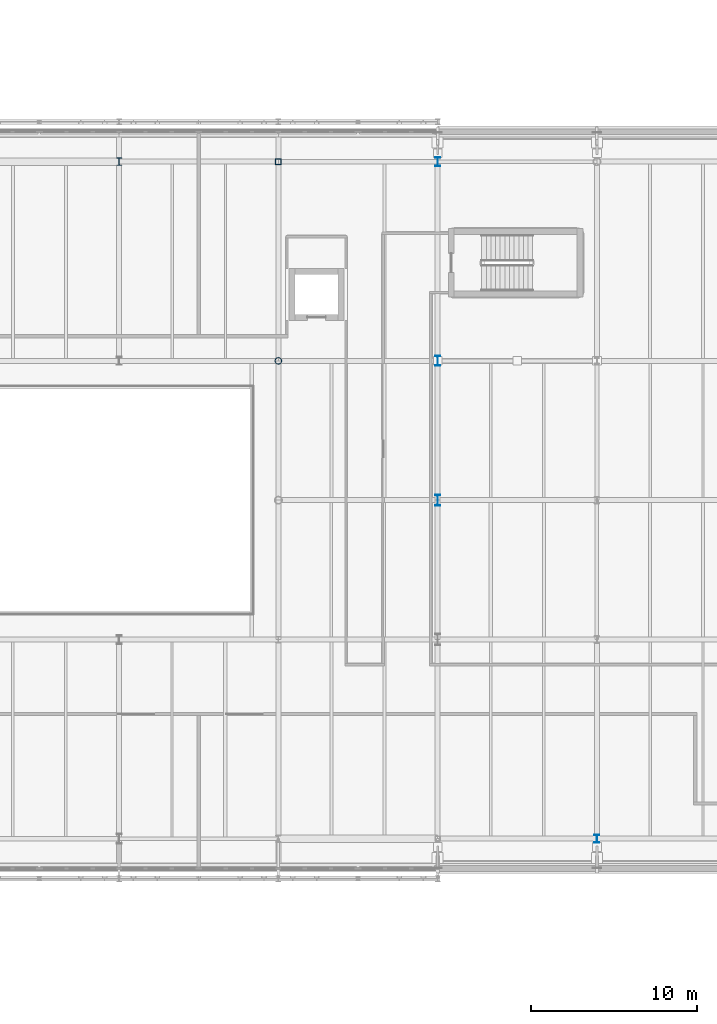
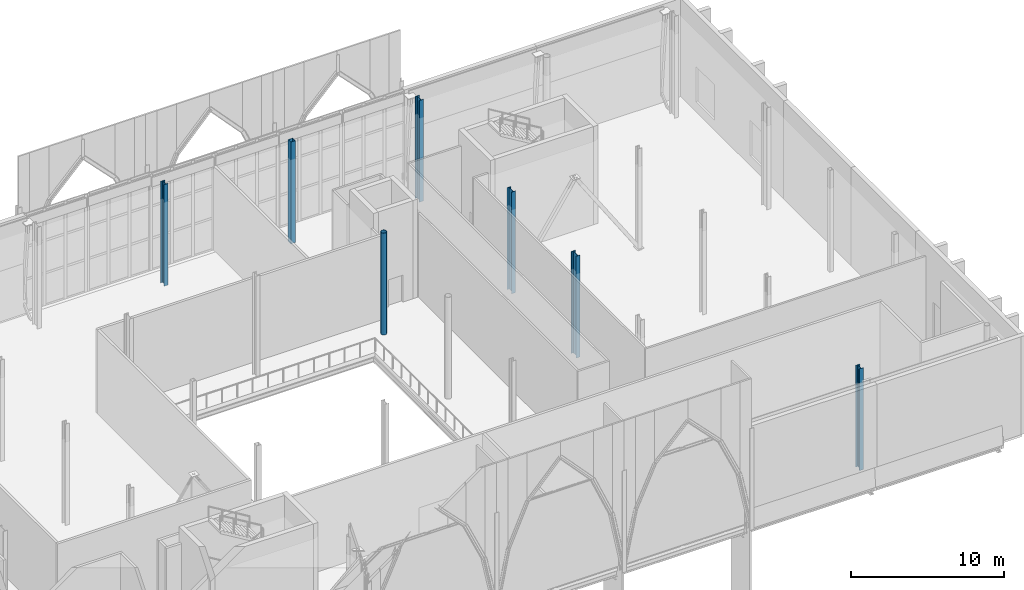
# One storey, part 7 of 79: 7 columns.
"""IFC4 building model written with IfcOpenShell, lengths in metres."""

from ifc_helpers import new_model, si_unit, direction, frame, origin, origin_2d, place, context, subcontext, project, spatial, hollow_rectangle, hollow_circle, i_section, extrude, material, material_profile, profile_set, type_object, element, save


model = new_model("IFC4")

# Units and contexts
model_context = context("Model", 3, precision=1e-05, world=origin(), true_north=direction((0.0, 1.0)))
body_context = subcontext(model_context, "Body", "Model", "MODEL_VIEW")
ifc_project = project(units=[si_unit("LENGTHUNIT", "METRE"), si_unit("AREAUNIT", "SQUARE_METRE"), si_unit("VOLUMEUNIT", "CUBIC_METRE"), si_unit("PLANEANGLEUNIT", "RADIAN"), si_unit("MASSUNIT", "GRAM", prefix="KILO")], contexts=[model_context])

# Site, building, storey
site_placement = place(None, origin())
site = spatial("IfcSite", under=ifc_project, at=site_placement, CompositionType="ELEMENT")
building_placement = place(site_placement, origin())
building = spatial("IfcBuilding", under=site, at=building_placement, Name="Zereglee Splitstone Museum", CompositionType="ELEMENT")
storey_placement = place(building_placement, frame((0.0, 0.0, 9.0)))
storey = spatial("IfcBuildingStorey", under=building, at=storey_placement, Name="L02", CompositionType="ELEMENT", Elevation=9.0)

# Columns
ifc_material_1 = material(Name="Steel S355J2H", Category="steel")
ifc_material_profile_1 = material_profile(ifc_material_1, hollow_circle(Radius=0.203125, WallThickness=0.02001953125, at=origin_2d()), Name="CHS 406.4x20")
ifc_profile_set_1 = profile_set([ifc_material_profile_1], Name="Steel S355J2H")
column_type_1 = type_object("IfcColumnType", Name="C-18", PredefinedType="COLUMN", material=ifc_profile_set_1)
column_1_placement = place(storey_placement, frame((116.39990234375, 38.39990234375, 0.0), z_axis=(0.0, 0.0, 1.0), x_axis=(1.0, 0.0, 0.0)))
element("IfcColumn", 1, at=column_1_placement, inside=storey, type_object=column_type_1, Name="Column 14/E L02", PredefinedType="COLUMN", context=body_context, shape_type="SweptSolid", body=[
    extrude(hollow_circle(Radius=0.203125, WallThickness=0.02001953125, at=origin_2d()), origin(), (0.0, 0.0, 1.0), 8.10009765625),
])
ifc_material_2 = material(Name="Steel S355J2", Category="steel")
ifc_material_profile_2 = material_profile(ifc_material_2, i_section(OverallWidth=0.300048828125, OverallDepth=0.449951171875, WebThickness=0.013916015625, FlangeThickness=0.02587890625, FilletRadius=0.027099609375, at=origin_2d()), Name="HE 450 B")
ifc_profile_set_2 = profile_set([ifc_material_profile_2], Name="Steel S355J2")
column_type_2 = type_object("IfcColumnType", Name="C-14", PredefinedType="COLUMN", material=ifc_profile_set_2)
column_2_placement = place(storey_placement, frame((106.800048828125, 50.39990234375, 0.0), z_axis=(0.0, 0.0, 1.0), x_axis=(1.0, 0.0, 0.0)))
element("IfcColumn", 2, at=column_2_placement, inside=storey, type_object=column_type_2, Name="Column 13/F L02", PredefinedType="COLUMN", context=body_context, shape_type="SweptSolid", body=[
    extrude(i_section(OverallWidth=0.300048828125, OverallDepth=0.449951171875, WebThickness=0.013916015625, FlangeThickness=0.02587890625, FilletRadius=0.027099609375, at=origin_2d()), origin(), (0.0, 0.0, 1.0), 8.10009765625),
])
ifc_material_profile_3 = material_profile(ifc_material_2, i_section(OverallWidth=0.300048828125, OverallDepth=0.5, WebThickness=0.014404296875, FlangeThickness=0.028076171875, FilletRadius=0.027099609375, at=origin_2d()), Name="HE 500 B")
ifc_profile_set_3 = profile_set([ifc_material_profile_3], Name="Steel S355J2")
column_type_3 = type_object("IfcColumnType", Name="C-13", PredefinedType="COLUMN", material=ifc_profile_set_3)
column_3_placement = place(storey_placement, frame((135.60009765625, 9.60009765625, 0.0), z_axis=(0.0, 0.0, 1.0), x_axis=(1.0, 0.0, 0.0)))
element("IfcColumn", 3, at=column_3_placement, inside=storey, type_object=column_type_3, Name="Column 16/B L02", PredefinedType="COLUMN", context=body_context, shape_type="SweptSolid", body=[
    extrude(i_section(OverallWidth=0.300048828125, OverallDepth=0.5, WebThickness=0.014404296875, FlangeThickness=0.028076171875, FilletRadius=0.027099609375, at=origin_2d()), origin(), (0.0, 0.0, 1.0), 8.10009765625),
])
ifc_material_profile_4 = material_profile(ifc_material_2, i_section(OverallWidth=0.300048828125, OverallDepth=0.550048828125, WebThickness=0.014892578125, FlangeThickness=0.029052734375, FilletRadius=0.027099609375, at=origin_2d()), Name="HE 550 B")
ifc_profile_set_4 = profile_set([ifc_material_profile_4], Name="Steel S355J2")
column_type_4 = type_object("IfcColumnType", Name="C-12", PredefinedType="COLUMN", material=ifc_profile_set_4)
column_4_placement = place(storey_placement, frame((126.0, 50.39990234375, 0.0), z_axis=(0.0, 0.0, 1.0), x_axis=(1.0, 0.0, 0.0)))
element("IfcColumn", 4, at=column_4_placement, inside=storey, type_object=column_type_4, Name="Column 15/F L02", PredefinedType="COLUMN", context=body_context, shape_type="SweptSolid", body=[
    extrude(i_section(OverallWidth=0.300048828125, OverallDepth=0.550048828125, WebThickness=0.014892578125, FlangeThickness=0.029052734375, FilletRadius=0.027099609375, at=origin_2d()), origin(), (0.0, 0.0, 1.0), 8.10009765625),
])
ifc_material_profile_5 = material_profile(ifc_material_2, i_section(OverallWidth=0.300048828125, OverallDepth=0.60009765625, WebThickness=0.015380859375, FlangeThickness=0.030029296875, FilletRadius=0.027099609375, at=origin_2d()), Name="HE 600 B")
ifc_profile_set_5 = profile_set([ifc_material_profile_5], Name="Steel S355J2")
column_type_5 = type_object("IfcColumnType", Name="C-11", PredefinedType="COLUMN", material=ifc_profile_set_5)
column_5_placement = place(storey_placement, frame((126.0, 38.39990234375, 0.0), z_axis=(0.0, 0.0, 1.0), x_axis=(1.0, 0.0, 0.0)))
element("IfcColumn", 5, at=column_5_placement, inside=storey, type_object=column_type_5, Name="Column 15/E L02", PredefinedType="COLUMN", context=body_context, shape_type="SweptSolid", body=[
    extrude(i_section(OverallWidth=0.300048828125, OverallDepth=0.60009765625, WebThickness=0.015380859375, FlangeThickness=0.030029296875, FilletRadius=0.027099609375, at=origin_2d()), origin(), (0.0, 0.0, 1.0), 8.10009765625),
])
ifc_material_profile_6 = material_profile(ifc_material_2, i_section(OverallWidth=0.300048828125, OverallDepth=0.64990234375, WebThickness=0.01611328125, FlangeThickness=0.031005859375, FilletRadius=0.027099609375, at=origin_2d()), Name="HE 650 B")
ifc_profile_set_6 = profile_set([ifc_material_profile_6], Name="Steel S355J2")
column_type_6 = type_object("IfcColumnType", Name="C-10", PredefinedType="COLUMN", material=ifc_profile_set_6)
column_6_placement = place(storey_placement, frame((126.0, 30.0, 0.0), z_axis=(0.0, 0.0, 1.0), x_axis=(1.0, 0.0, 0.0)))
element("IfcColumn", 6, at=column_6_placement, inside=storey, type_object=column_type_6, Name="Column 15/D L02", PredefinedType="COLUMN", context=body_context, shape_type="SweptSolid", body=[
    extrude(i_section(OverallWidth=0.300048828125, OverallDepth=0.64990234375, WebThickness=0.01611328125, FlangeThickness=0.031005859375, FilletRadius=0.027099609375, at=origin_2d()), origin(), (0.0, 0.0, 1.0), 8.10009765625),
])
ifc_material_profile_7 = material_profile(ifc_material_1, hollow_rectangle(XDim=0.35009765625, YDim=0.35009765625, WallThickness=0.01611328125, at=origin_2d()), Name="SHS 350x350x16")
ifc_profile_set_7 = profile_set([ifc_material_profile_7], Name="Steel S355J2H")
column_type_7 = type_object("IfcColumnType", Name="C-19", PredefinedType="COLUMN", material=ifc_profile_set_7)
column_7_placement = place(storey_placement, frame((116.39990234375, 50.39990234375, 0.0), z_axis=(0.0, 0.0, 1.0), x_axis=(1.0, 0.0, 0.0)))
element("IfcColumn", 7, at=column_7_placement, inside=storey, type_object=column_type_7, Name="Column 14/F L02", PredefinedType="COLUMN", context=body_context, shape_type="SweptSolid", body=[
    extrude(hollow_rectangle(XDim=0.35009765625, YDim=0.35009765625, WallThickness=0.01611328125, at=origin_2d()), origin(), (0.0, 0.0, 1.0), 8.10009765625),
])

save(model, "model.ifc")
